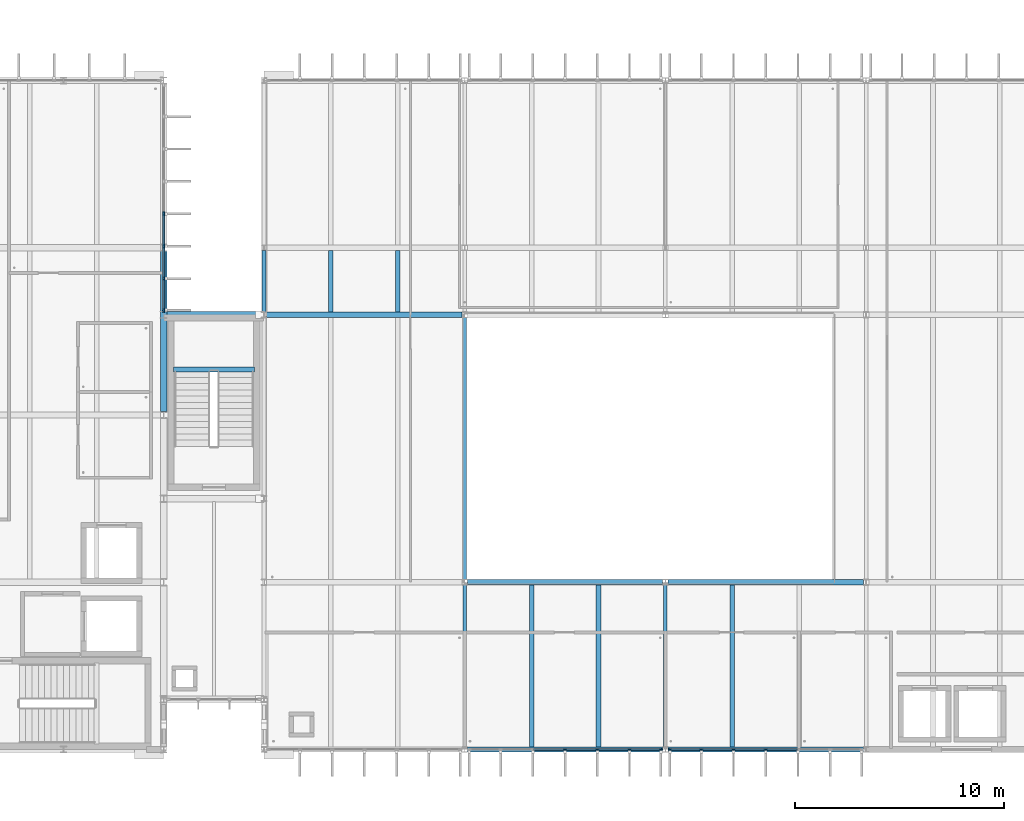
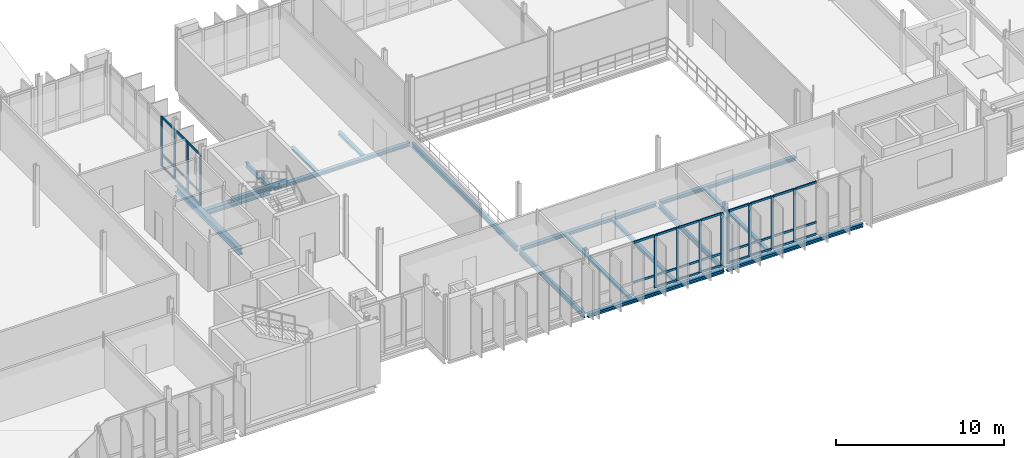
# One storey, part 17 of 59: 44 members, 17 beams, 3 elements without a shape of their own.
"""IFC4 building model written with IfcOpenShell, lengths in metres."""

from ifc_helpers import new_model, si_unit, direction, frame, origin, origin_2d, place, context, subcontext, project, spatial, rectangle, i_section, extrude, material, material_profile, profile_set, type_object, element, aggregate, save


model = new_model("IFC4")

# Units and contexts
model_context = context("Model", 3, precision=1e-05, world=origin(), true_north=direction((0.0, 1.0)))
body_context = subcontext(model_context, "Body", "Model", "MODEL_VIEW")
ifc_project = project(units=[si_unit("LENGTHUNIT", "METRE"), si_unit("AREAUNIT", "SQUARE_METRE"), si_unit("VOLUMEUNIT", "CUBIC_METRE"), si_unit("PLANEANGLEUNIT", "RADIAN"), si_unit("MASSUNIT", "GRAM", prefix="KILO")], contexts=[model_context])

# Site, building, storey
site_placement = place(None, origin())
site = spatial("IfcSite", under=ifc_project, at=site_placement, CompositionType="ELEMENT")
building_placement = place(site_placement, origin())
building = spatial("IfcBuilding", under=site, at=building_placement, Name="Dunescarp Central Library", CompositionType="ELEMENT")
storey_placement = place(building_placement, frame((0.0, 0.0, 18.60009765625)))
storey = spatial("IfcBuildingStorey", under=building, at=storey_placement, Name="L04", CompositionType="ELEMENT", Elevation=18.60009765625)

# Curtain wall, members
ifc_material_1 = material(Name="Marine-grade anodised aluminium 6063-T6", Category="aluminium")
curtain_wall_type = type_object("IfcCurtainWallType", Name="ARC-CW-STICK", PredefinedType="NOTDEFINED", material=ifc_material_1)
curtain_wall_1_placement = place(storey_placement, origin())
curtain_wall_1 = element("IfcCurtainWall", 1, at=curtain_wall_1_placement, inside=storey, type_object=curtain_wall_type, Name="L04 curtain wall CW-V1-030", PredefinedType="NOTDEFINED")
ifc_material_profile_1 = material_profile(ifc_material_1, rectangle(XDim=0.080078125, YDim=0.179931640625, at=origin_2d()), Name="AL 80x180")
ifc_profile_set_1 = profile_set([ifc_material_profile_1], Name="Marine-grade anodised aluminium 6063-T6")
member_type_1 = type_object("IfcMemberType", Name="ARC-CWM-180", PredefinedType="MULLION", material=ifc_profile_set_1)
member_1_placement = place(storey_placement, frame((33.60009765625, 30.425048828125, 0.0), z_axis=(0.0, 0.0, 1.0), x_axis=(1.0, 0.0, 0.0)))
member_1 = element("IfcMember", 2, at=member_1_placement, type_object=member_type_1, Name="CW-V1-030 mullion 5", PredefinedType="MULLION", context=body_context, shape_type="SweptSolid", body=[
    extrude(rectangle(XDim=0.080078125, YDim=0.179931640625, at=origin_2d()), origin(), (0.0, 0.0, 1.0), 3.664794921875),
])
member_2_placement = place(storey_placement, frame((33.60009765625, 28.875, 0.0), z_axis=(0.0, 0.0, 1.0), x_axis=(1.0, 0.0, 0.0)))
member_2 = element("IfcMember", 3, at=member_2_placement, type_object=member_type_1, Name="CW-V1-030 mullion 6", PredefinedType="MULLION", context=body_context, shape_type="SweptSolid", body=[
    extrude(rectangle(XDim=0.080078125, YDim=0.179931640625, at=origin_2d()), origin(), (0.0, 0.0, 1.0), 3.664794921875),
])
member_3_placement = place(storey_placement, frame((33.60009765625, 27.324951171875, 0.0), z_axis=(0.0, 0.0, 1.0), x_axis=(1.0, 0.0, 0.0)))
member_3 = element("IfcMember", 4, at=member_3_placement, type_object=member_type_1, Name="CW-V1-030 mullion 7", PredefinedType="MULLION", context=body_context, shape_type="SweptSolid", body=[
    extrude(rectangle(XDim=0.080078125, YDim=0.179931640625, at=origin_2d()), origin(), (0.0, 0.0, 1.0), 3.664794921875),
])
member_4_placement = place(storey_placement, frame((33.60009765625, 25.81494140625, 0.0), z_axis=(0.0, 0.0, 1.0), x_axis=(1.0, 0.0, 0.0)))
member_4 = element("IfcMember", 5, at=member_4_placement, type_object=member_type_1, Name="CW-V1-030 mullion 8", PredefinedType="MULLION", context=body_context, shape_type="SweptSolid", body=[
    extrude(rectangle(XDim=0.080078125, YDim=0.179931640625, at=origin_2d()), origin(), (0.0, 0.0, 1.0), 3.664794921875),
])

curtain_wall_2_placement = place(storey_placement, origin())
curtain_wall_2 = element("IfcCurtainWall", 6, at=curtain_wall_2_placement, inside=storey, type_object=curtain_wall_type, Name="L04 curtain wall CW-V2-068", PredefinedType="NOTDEFINED")
member_5_placement = place(storey_placement, frame((57.385009765625, 4.800048828125, 0.0), z_axis=(0.0, 0.0, 1.0), x_axis=(0.0, -1.0, 0.0)))
member_5 = element("IfcMember", 7, at=member_5_placement, type_object=member_type_1, Name="CW-V2-068 mullion 1", PredefinedType="MULLION", context=body_context, shape_type="SweptSolid", body=[
    extrude(rectangle(XDim=0.080078125, YDim=0.179931640625, at=origin_2d()), origin(), (0.0, 0.0, 1.0), 3.85498046875),
])
member_6_placement = place(storey_placement, frame((55.88330078125, 4.800048828125, 0.0), z_axis=(0.0, 0.0, 1.0), x_axis=(0.0, -1.0, 0.0)))
member_6 = element("IfcMember", 8, at=member_6_placement, type_object=member_type_1, Name="CW-V2-068 mullion 2", PredefinedType="MULLION", context=body_context, shape_type="SweptSolid", body=[
    extrude(rectangle(XDim=0.080078125, YDim=0.179931640625, at=origin_2d()), origin(), (0.0, 0.0, 1.0), 3.85498046875),
])
member_7_placement = place(storey_placement, frame((54.341552734375, 4.800048828125, 0.0), z_axis=(0.0, 0.0, 1.0), x_axis=(0.0, -1.0, 0.0)))
member_7 = element("IfcMember", 9, at=member_7_placement, type_object=member_type_1, Name="CW-V2-068 mullion 3", PredefinedType="MULLION", context=body_context, shape_type="SweptSolid", body=[
    extrude(rectangle(XDim=0.080078125, YDim=0.179931640625, at=origin_2d()), origin(), (0.0, 0.0, 1.0), 3.85498046875),
])
member_8_placement = place(storey_placement, frame((52.800048828125, 4.800048828125, 0.0), z_axis=(0.0, 0.0, 1.0), x_axis=(0.0, -1.0, 0.0)))
member_8 = element("IfcMember", 10, at=member_8_placement, type_object=member_type_1, Name="CW-V2-068 mullion 4", PredefinedType="MULLION", context=body_context, shape_type="SweptSolid", body=[
    extrude(rectangle(XDim=0.080078125, YDim=0.179931640625, at=origin_2d()), origin(), (0.0, 0.0, 1.0), 3.85498046875),
])

curtain_wall_3_placement = place(storey_placement, origin())
curtain_wall_3 = element("IfcCurtainWall", 11, at=curtain_wall_3_placement, inside=storey, type_object=curtain_wall_type, Name="L04 curtain wall CW-V2-069", PredefinedType="NOTDEFINED")
member_9_placement = place(storey_placement, frame((62.39990234375, 4.800048828125, 0.0), z_axis=(0.0, 0.0, 1.0), x_axis=(0.0, -1.0, 0.0)))
member_9 = element("IfcMember", 12, at=member_9_placement, type_object=member_type_1, Name="CW-V2-069 mullion 4", PredefinedType="MULLION", context=body_context, shape_type="SweptSolid", body=[
    extrude(rectangle(XDim=0.080078125, YDim=0.179931640625, at=origin_2d()), origin(), (0.0, 0.0, 1.0), 3.85498046875),
])
member_10_placement = place(storey_placement, frame((60.8583984375, 4.800048828125, 0.0), z_axis=(0.0, 0.0, 1.0), x_axis=(0.0, -1.0, 0.0)))
member_10 = element("IfcMember", 13, at=member_10_placement, type_object=member_type_1, Name="CW-V2-069 mullion 5", PredefinedType="MULLION", context=body_context, shape_type="SweptSolid", body=[
    extrude(rectangle(XDim=0.080078125, YDim=0.179931640625, at=origin_2d()), origin(), (0.0, 0.0, 1.0), 3.85498046875),
])
member_11_placement = place(storey_placement, frame((59.316650390625, 4.800048828125, 0.0), z_axis=(0.0, 0.0, 1.0), x_axis=(0.0, -1.0, 0.0)))
member_11 = element("IfcMember", 14, at=member_11_placement, type_object=member_type_1, Name="CW-V2-069 mullion 6", PredefinedType="MULLION", context=body_context, shape_type="SweptSolid", body=[
    extrude(rectangle(XDim=0.080078125, YDim=0.179931640625, at=origin_2d()), origin(), (0.0, 0.0, 1.0), 3.85498046875),
])
member_12_placement = place(storey_placement, frame((57.81494140625, 4.800048828125, 0.0), z_axis=(0.0, 0.0, 1.0), x_axis=(0.0, -1.0, 0.0)))
member_12 = element("IfcMember", 15, at=member_12_placement, type_object=member_type_1, Name="CW-V2-069 mullion 7", PredefinedType="MULLION", context=body_context, shape_type="SweptSolid", body=[
    extrude(rectangle(XDim=0.080078125, YDim=0.179931640625, at=origin_2d()), origin(), (0.0, 0.0, 1.0), 3.85498046875),
])

# Member
ifc_material_profile_2 = material_profile(ifc_material_1, rectangle(XDim=0.080078125, YDim=0.14990234375, at=origin_2d()), Name="AL 80x150")
ifc_profile_set_2 = profile_set([ifc_material_profile_2], Name="Marine-grade anodised aluminium 6063-T6")
member_type_2 = type_object("IfcMemberType", Name="ARC-CWT-150", PredefinedType="USERDEFINED", material=ifc_profile_set_2)
member_13_placement = place(storey_placement, frame((33.60009765625, 30.385009765625, 0.039794921875), z_axis=(0.0, -1.0, 0.0), x_axis=(1.0, 0.0, 0.0)))
member_13 = element("IfcMember", 16, at=member_13_placement, type_object=member_type_2, Name="CW-V1-030 transom 5.1", ObjectType="TRANSOM", PredefinedType="USERDEFINED", context=body_context, shape_type="SweptSolid", body=[
    extrude(rectangle(XDim=0.080078125, YDim=0.14990234375, at=origin_2d()), origin(), (0.0, 0.0, 1.0), 1.469970703125),
])

member_14_placement = place(storey_placement, frame((33.60009765625, 30.385009765625, 0.89990234375), z_axis=(0.0, -1.0, 0.0), x_axis=(1.0, 0.0, 0.0)))
member_14 = element("IfcMember", 17, at=member_14_placement, type_object=member_type_2, Name="CW-V1-030 transom 5.2", ObjectType="TRANSOM", PredefinedType="USERDEFINED", context=body_context, shape_type="SweptSolid", body=[
    extrude(rectangle(XDim=0.080078125, YDim=0.14990234375, at=origin_2d()), origin(), (0.0, 0.0, 1.0), 1.469970703125),
])

member_15_placement = place(storey_placement, frame((33.60009765625, 30.385009765625, 3.625), z_axis=(0.0, -1.0, 0.0), x_axis=(1.0, 0.0, 0.0)))
member_15 = element("IfcMember", 18, at=member_15_placement, type_object=member_type_2, Name="CW-V1-030 transom 5.3", ObjectType="TRANSOM", PredefinedType="USERDEFINED", context=body_context, shape_type="SweptSolid", body=[
    extrude(rectangle(XDim=0.080078125, YDim=0.14990234375, at=origin_2d()), origin(), (0.0, 0.0, 1.0), 1.469970703125),
])

member_16_placement = place(storey_placement, frame((33.60009765625, 28.8349609375, 0.039794921875), z_axis=(0.0, -1.0, 0.0), x_axis=(1.0, 0.0, 0.0)))
member_16 = element("IfcMember", 19, at=member_16_placement, type_object=member_type_2, Name="CW-V1-030 transom 6.1", ObjectType="TRANSOM", PredefinedType="USERDEFINED", context=body_context, shape_type="SweptSolid", body=[
    extrude(rectangle(XDim=0.080078125, YDim=0.14990234375, at=origin_2d()), origin(), (0.0, 0.0, 1.0), 1.469970703125),
])

member_17_placement = place(storey_placement, frame((33.60009765625, 28.8349609375, 0.89990234375), z_axis=(0.0, -1.0, 0.0), x_axis=(1.0, 0.0, 0.0)))
member_17 = element("IfcMember", 20, at=member_17_placement, type_object=member_type_2, Name="CW-V1-030 transom 6.2", ObjectType="TRANSOM", PredefinedType="USERDEFINED", context=body_context, shape_type="SweptSolid", body=[
    extrude(rectangle(XDim=0.080078125, YDim=0.14990234375, at=origin_2d()), origin(), (0.0, 0.0, 1.0), 1.469970703125),
])

member_18_placement = place(storey_placement, frame((33.60009765625, 28.8349609375, 3.625), z_axis=(0.0, -1.0, 0.0), x_axis=(1.0, 0.0, 0.0)))
member_18 = element("IfcMember", 21, at=member_18_placement, type_object=member_type_2, Name="CW-V1-030 transom 6.3", ObjectType="TRANSOM", PredefinedType="USERDEFINED", context=body_context, shape_type="SweptSolid", body=[
    extrude(rectangle(XDim=0.080078125, YDim=0.14990234375, at=origin_2d()), origin(), (0.0, 0.0, 1.0), 1.469970703125),
])

member_19_placement = place(storey_placement, frame((33.60009765625, 27.284912109375, 0.039794921875), z_axis=(0.0, -1.0, 0.0), x_axis=(1.0, 0.0, 0.0)))
member_19 = element("IfcMember", 22, at=member_19_placement, type_object=member_type_2, Name="CW-V1-030 transom 7.1", ObjectType="TRANSOM", PredefinedType="USERDEFINED", context=body_context, shape_type="SweptSolid", body=[
    extrude(rectangle(XDim=0.080078125, YDim=0.14990234375, at=origin_2d()), origin(), (0.0, 0.0, 1.0), 1.429931640625),
])

member_20_placement = place(storey_placement, frame((33.60009765625, 27.284912109375, 0.89990234375), z_axis=(0.0, -1.0, 0.0), x_axis=(1.0, 0.0, 0.0)))
member_20 = element("IfcMember", 23, at=member_20_placement, type_object=member_type_2, Name="CW-V1-030 transom 7.2", ObjectType="TRANSOM", PredefinedType="USERDEFINED", context=body_context, shape_type="SweptSolid", body=[
    extrude(rectangle(XDim=0.080078125, YDim=0.14990234375, at=origin_2d()), origin(), (0.0, 0.0, 1.0), 1.429931640625),
])

member_21_placement = place(storey_placement, frame((33.60009765625, 27.284912109375, 3.625), z_axis=(0.0, -1.0, 0.0), x_axis=(1.0, 0.0, 0.0)))
member_21 = element("IfcMember", 24, at=member_21_placement, type_object=member_type_2, Name="CW-V1-030 transom 7.3", ObjectType="TRANSOM", PredefinedType="USERDEFINED", context=body_context, shape_type="SweptSolid", body=[
    extrude(rectangle(XDim=0.080078125, YDim=0.14990234375, at=origin_2d()), origin(), (0.0, 0.0, 1.0), 1.429931640625),
])

aggregate(curtain_wall_1, [member_1, member_2, member_3, member_4, member_13, member_14, member_15, member_16, member_17, member_18, member_19, member_20, member_21])

member_22_placement = place(storey_placement, frame((57.344970703125, 4.800048828125, 0.039794921875), z_axis=(-1.0, 0.0, 0.0), x_axis=(0.0, -1.0, 0.0)))
member_22 = element("IfcMember", 25, at=member_22_placement, type_object=member_type_2, Name="CW-V2-068 transom 1.1", ObjectType="TRANSOM", PredefinedType="USERDEFINED", context=body_context, shape_type="SweptSolid", body=[
    extrude(rectangle(XDim=0.080078125, YDim=0.14990234375, at=origin_2d()), origin(), (0.0, 0.0, 1.0), 1.421630859375),
])

member_23_placement = place(storey_placement, frame((57.344970703125, 4.800048828125, 0.89990234375), z_axis=(-1.0, 0.0, 0.0), x_axis=(0.0, -1.0, 0.0)))
member_23 = element("IfcMember", 26, at=member_23_placement, type_object=member_type_2, Name="CW-V2-068 transom 1.2", ObjectType="TRANSOM", PredefinedType="USERDEFINED", context=body_context, shape_type="SweptSolid", body=[
    extrude(rectangle(XDim=0.080078125, YDim=0.14990234375, at=origin_2d()), origin(), (0.0, 0.0, 1.0), 1.421630859375),
])

member_24_placement = place(storey_placement, frame((57.344970703125, 4.800048828125, 3.81494140625), z_axis=(-1.0, 0.0, 0.0), x_axis=(0.0, -1.0, 0.0)))
member_24 = element("IfcMember", 27, at=member_24_placement, type_object=member_type_2, Name="CW-V2-068 transom 1.3", ObjectType="TRANSOM", PredefinedType="USERDEFINED", context=body_context, shape_type="SweptSolid", body=[
    extrude(rectangle(XDim=0.080078125, YDim=0.14990234375, at=origin_2d()), origin(), (0.0, 0.0, 1.0), 1.421630859375),
])

member_25_placement = place(storey_placement, frame((55.84326171875, 4.800048828125, 0.039794921875), z_axis=(-1.0, 0.0, 0.0), x_axis=(0.0, -1.0, 0.0)))
member_25 = element("IfcMember", 28, at=member_25_placement, type_object=member_type_2, Name="CW-V2-068 transom 2.1", ObjectType="TRANSOM", PredefinedType="USERDEFINED", context=body_context, shape_type="SweptSolid", body=[
    extrude(rectangle(XDim=0.080078125, YDim=0.14990234375, at=origin_2d()), origin(), (0.0, 0.0, 1.0), 1.461669921875),
])

member_26_placement = place(storey_placement, frame((55.84326171875, 4.800048828125, 0.89990234375), z_axis=(-1.0, 0.0, 0.0), x_axis=(0.0, -1.0, 0.0)))
member_26 = element("IfcMember", 29, at=member_26_placement, type_object=member_type_2, Name="CW-V2-068 transom 2.2", ObjectType="TRANSOM", PredefinedType="USERDEFINED", context=body_context, shape_type="SweptSolid", body=[
    extrude(rectangle(XDim=0.080078125, YDim=0.14990234375, at=origin_2d()), origin(), (0.0, 0.0, 1.0), 1.461669921875),
])

member_27_placement = place(storey_placement, frame((55.84326171875, 4.800048828125, 3.81494140625), z_axis=(-1.0, 0.0, 0.0), x_axis=(0.0, -1.0, 0.0)))
member_27 = element("IfcMember", 30, at=member_27_placement, type_object=member_type_2, Name="CW-V2-068 transom 2.3", ObjectType="TRANSOM", PredefinedType="USERDEFINED", context=body_context, shape_type="SweptSolid", body=[
    extrude(rectangle(XDim=0.080078125, YDim=0.14990234375, at=origin_2d()), origin(), (0.0, 0.0, 1.0), 1.461669921875),
])

member_28_placement = place(storey_placement, frame((54.3017578125, 4.800048828125, 0.039794921875), z_axis=(-1.0, 0.0, 0.0), x_axis=(0.0, -1.0, 0.0)))
member_28 = element("IfcMember", 31, at=member_28_placement, type_object=member_type_2, Name="CW-V2-068 transom 3.1", ObjectType="TRANSOM", PredefinedType="USERDEFINED", context=body_context, shape_type="SweptSolid", body=[
    extrude(rectangle(XDim=0.080078125, YDim=0.14990234375, at=origin_2d()), origin(), (0.0, 0.0, 1.0), 1.461669921875),
])

member_29_placement = place(storey_placement, frame((54.3017578125, 4.800048828125, 0.89990234375), z_axis=(-1.0, 0.0, 0.0), x_axis=(0.0, -1.0, 0.0)))
member_29 = element("IfcMember", 32, at=member_29_placement, type_object=member_type_2, Name="CW-V2-068 transom 3.2", ObjectType="TRANSOM", PredefinedType="USERDEFINED", context=body_context, shape_type="SweptSolid", body=[
    extrude(rectangle(XDim=0.080078125, YDim=0.14990234375, at=origin_2d()), origin(), (0.0, 0.0, 1.0), 1.461669921875),
])

member_30_placement = place(storey_placement, frame((54.3017578125, 4.800048828125, 3.81494140625), z_axis=(-1.0, 0.0, 0.0), x_axis=(0.0, -1.0, 0.0)))
member_30 = element("IfcMember", 33, at=member_30_placement, type_object=member_type_2, Name="CW-V2-068 transom 3.3", ObjectType="TRANSOM", PredefinedType="USERDEFINED", context=body_context, shape_type="SweptSolid", body=[
    extrude(rectangle(XDim=0.080078125, YDim=0.14990234375, at=origin_2d()), origin(), (0.0, 0.0, 1.0), 1.461669921875),
])

member_31_placement = place(storey_placement, frame((52.760009765625, 4.800048828125, 0.89990234375), z_axis=(-1.0, 0.0, 0.0), x_axis=(0.0, -1.0, 0.0)))
member_31 = element("IfcMember", 34, at=member_31_placement, type_object=member_type_2, Name="CW-V2-068 transom 4.2", ObjectType="TRANSOM", PredefinedType="USERDEFINED", context=body_context, shape_type="SweptSolid", body=[
    extrude(rectangle(XDim=0.080078125, YDim=0.14990234375, at=origin_2d()), origin(), (0.0, 0.0, 1.0), 1.461669921875),
])

member_32_placement = place(storey_placement, frame((52.760009765625, 4.800048828125, 3.81494140625), z_axis=(-1.0, 0.0, 0.0), x_axis=(0.0, -1.0, 0.0)))
member_32 = element("IfcMember", 35, at=member_32_placement, type_object=member_type_2, Name="CW-V2-068 transom 4.3", ObjectType="TRANSOM", PredefinedType="USERDEFINED", context=body_context, shape_type="SweptSolid", body=[
    extrude(rectangle(XDim=0.080078125, YDim=0.14990234375, at=origin_2d()), origin(), (0.0, 0.0, 1.0), 1.461669921875),
])

aggregate(curtain_wall_2, [member_5, member_6, member_7, member_8, member_22, member_23, member_24, member_25, member_26, member_27, member_28, member_29, member_30, member_31, member_32])

member_33_placement = place(storey_placement, frame((63.901611328125, 4.800048828125, 0.039794921875), z_axis=(-1.0, 0.0, 0.0), x_axis=(0.0, -1.0, 0.0)))
member_33 = element("IfcMember", 36, at=member_33_placement, type_object=member_type_2, Name="CW-V2-069 transom 3.1", ObjectType="TRANSOM", PredefinedType="USERDEFINED", context=body_context, shape_type="SweptSolid", body=[
    extrude(rectangle(XDim=0.080078125, YDim=0.14990234375, at=origin_2d()), origin(), (0.0, 0.0, 1.0), 1.461669921875),
])

member_34_placement = place(storey_placement, frame((63.901611328125, 4.800048828125, 0.89990234375), z_axis=(-1.0, 0.0, 0.0), x_axis=(0.0, -1.0, 0.0)))
member_34 = element("IfcMember", 37, at=member_34_placement, type_object=member_type_2, Name="CW-V2-069 transom 3.2", ObjectType="TRANSOM", PredefinedType="USERDEFINED", context=body_context, shape_type="SweptSolid", body=[
    extrude(rectangle(XDim=0.080078125, YDim=0.14990234375, at=origin_2d()), origin(), (0.0, 0.0, 1.0), 1.461669921875),
])

member_35_placement = place(storey_placement, frame((63.901611328125, 4.800048828125, 3.81494140625), z_axis=(-1.0, 0.0, 0.0), x_axis=(0.0, -1.0, 0.0)))
member_35 = element("IfcMember", 38, at=member_35_placement, type_object=member_type_2, Name="CW-V2-069 transom 3.3", ObjectType="TRANSOM", PredefinedType="USERDEFINED", context=body_context, shape_type="SweptSolid", body=[
    extrude(rectangle(XDim=0.080078125, YDim=0.14990234375, at=origin_2d()), origin(), (0.0, 0.0, 1.0), 1.461669921875),
])

member_36_placement = place(storey_placement, frame((62.360107421875, 4.800048828125, 0.039794921875), z_axis=(-1.0, 0.0, 0.0), x_axis=(0.0, -1.0, 0.0)))
member_36 = element("IfcMember", 39, at=member_36_placement, type_object=member_type_2, Name="CW-V2-069 transom 4.1", ObjectType="TRANSOM", PredefinedType="USERDEFINED", context=body_context, shape_type="SweptSolid", body=[
    extrude(rectangle(XDim=0.080078125, YDim=0.14990234375, at=origin_2d()), origin(), (0.0, 0.0, 1.0), 1.461669921875),
])

member_37_placement = place(storey_placement, frame((62.360107421875, 4.800048828125, 0.89990234375), z_axis=(-1.0, 0.0, 0.0), x_axis=(0.0, -1.0, 0.0)))
member_37 = element("IfcMember", 40, at=member_37_placement, type_object=member_type_2, Name="CW-V2-069 transom 4.2", ObjectType="TRANSOM", PredefinedType="USERDEFINED", context=body_context, shape_type="SweptSolid", body=[
    extrude(rectangle(XDim=0.080078125, YDim=0.14990234375, at=origin_2d()), origin(), (0.0, 0.0, 1.0), 1.461669921875),
])

member_38_placement = place(storey_placement, frame((62.360107421875, 4.800048828125, 3.81494140625), z_axis=(-1.0, 0.0, 0.0), x_axis=(0.0, -1.0, 0.0)))
member_38 = element("IfcMember", 41, at=member_38_placement, type_object=member_type_2, Name="CW-V2-069 transom 4.3", ObjectType="TRANSOM", PredefinedType="USERDEFINED", context=body_context, shape_type="SweptSolid", body=[
    extrude(rectangle(XDim=0.080078125, YDim=0.14990234375, at=origin_2d()), origin(), (0.0, 0.0, 1.0), 1.461669921875),
])

member_39_placement = place(storey_placement, frame((60.818359375, 4.800048828125, 0.039794921875), z_axis=(-1.0, 0.0, 0.0), x_axis=(0.0, -1.0, 0.0)))
member_39 = element("IfcMember", 42, at=member_39_placement, type_object=member_type_2, Name="CW-V2-069 transom 5.1", ObjectType="TRANSOM", PredefinedType="USERDEFINED", context=body_context, shape_type="SweptSolid", body=[
    extrude(rectangle(XDim=0.080078125, YDim=0.14990234375, at=origin_2d()), origin(), (0.0, 0.0, 1.0), 1.461669921875),
])

member_40_placement = place(storey_placement, frame((60.818359375, 4.800048828125, 0.89990234375), z_axis=(-1.0, 0.0, 0.0), x_axis=(0.0, -1.0, 0.0)))
member_40 = element("IfcMember", 43, at=member_40_placement, type_object=member_type_2, Name="CW-V2-069 transom 5.2", ObjectType="TRANSOM", PredefinedType="USERDEFINED", context=body_context, shape_type="SweptSolid", body=[
    extrude(rectangle(XDim=0.080078125, YDim=0.14990234375, at=origin_2d()), origin(), (0.0, 0.0, 1.0), 1.461669921875),
])

member_41_placement = place(storey_placement, frame((60.818359375, 4.800048828125, 3.81494140625), z_axis=(-1.0, 0.0, 0.0), x_axis=(0.0, -1.0, 0.0)))
member_41 = element("IfcMember", 44, at=member_41_placement, type_object=member_type_2, Name="CW-V2-069 transom 5.3", ObjectType="TRANSOM", PredefinedType="USERDEFINED", context=body_context, shape_type="SweptSolid", body=[
    extrude(rectangle(XDim=0.080078125, YDim=0.14990234375, at=origin_2d()), origin(), (0.0, 0.0, 1.0), 1.461669921875),
])

member_42_placement = place(storey_placement, frame((59.276611328125, 4.800048828125, 0.039794921875), z_axis=(-1.0, 0.0, 0.0), x_axis=(0.0, -1.0, 0.0)))
member_42 = element("IfcMember", 45, at=member_42_placement, type_object=member_type_2, Name="CW-V2-069 transom 6.1", ObjectType="TRANSOM", PredefinedType="USERDEFINED", context=body_context, shape_type="SweptSolid", body=[
    extrude(rectangle(XDim=0.080078125, YDim=0.14990234375, at=origin_2d()), origin(), (0.0, 0.0, 1.0), 1.421630859375),
])

member_43_placement = place(storey_placement, frame((59.276611328125, 4.800048828125, 0.89990234375), z_axis=(-1.0, 0.0, 0.0), x_axis=(0.0, -1.0, 0.0)))
member_43 = element("IfcMember", 46, at=member_43_placement, type_object=member_type_2, Name="CW-V2-069 transom 6.2", ObjectType="TRANSOM", PredefinedType="USERDEFINED", context=body_context, shape_type="SweptSolid", body=[
    extrude(rectangle(XDim=0.080078125, YDim=0.14990234375, at=origin_2d()), origin(), (0.0, 0.0, 1.0), 1.421630859375),
])

member_44_placement = place(storey_placement, frame((59.276611328125, 4.800048828125, 3.81494140625), z_axis=(-1.0, 0.0, 0.0), x_axis=(0.0, -1.0, 0.0)))
member_44 = element("IfcMember", 47, at=member_44_placement, type_object=member_type_2, Name="CW-V2-069 transom 6.3", ObjectType="TRANSOM", PredefinedType="USERDEFINED", context=body_context, shape_type="SweptSolid", body=[
    extrude(rectangle(XDim=0.080078125, YDim=0.14990234375, at=origin_2d()), origin(), (0.0, 0.0, 1.0), 1.421630859375),
])

aggregate(curtain_wall_3, [member_9, member_10, member_11, member_12, member_33, member_34, member_35, member_36, member_37, member_38, member_39, member_40, member_41, member_42, member_43, member_44])

# Beams
ifc_material_2 = material(Name="Steel S355JR", Category="steel")
ifc_material_profile_3 = material_profile(ifc_material_2, i_section(OverallWidth=0.300048828125, OverallDepth=0.389892578125, WebThickness=0.010986328125, FlangeThickness=0.01904296875, at=origin_2d()), Name="HEA 400")
ifc_profile_set_3 = profile_set([ifc_material_profile_3], Name="Steel S355JR")
beam_type_1 = type_object("IfcBeamType", Name="STR-BM-HEA400", PredefinedType="BEAM", material=ifc_profile_set_3)
beam_1_placement = place(storey_placement, frame((33.7529296875, 25.60009765625, -0.445068359375), z_axis=(1.0, 0.0, 0.0), x_axis=(0.0, 1.0, 0.0)))
element("IfcBeam", 48, at=beam_1_placement, inside=storey, type_object=beam_type_1, Name="L04 girder BM-L04-1230", PredefinedType="BEAM", context=body_context, shape_type="SweptSolid", body=[
    extrude(i_section(OverallWidth=0.300048828125, OverallDepth=0.389892578125, WebThickness=0.010986328125, FlangeThickness=0.01904296875, at=origin_2d()), origin(), (0.0, 0.0, 1.0), 4.51904296875),
])
ifc_material_profile_4 = material_profile(ifc_material_2, i_section(OverallWidth=0.260009765625, OverallDepth=0.260009765625, WebThickness=0.010009765625, FlangeThickness=0.017578125, at=origin_2d()), Name="HEB 260")
ifc_profile_set_4 = profile_set([ifc_material_profile_4], Name="Steel S355JR")
beam_type_2 = type_object("IfcBeamType", Name="STR-BM-HEB260", PredefinedType="BEAM", material=ifc_profile_set_4)
for number, where, z_axis, x_axis, name in (
    (49, (38.528076171875, 25.60009765625, -0.380126953125), (1.0, 0.0, 0.0), (0.0, 1.0, 0.0), "L04 girder BM-L04-0544"),
    (50, (48.1279296875, 4.800048828125, -0.380126953125), (1.0, 0.0, 0.0), (0.0, 1.0, 0.0), "L04 girder BM-L04-0559"),
    (51, (48.1279296875, 12.800048828125, -0.380126953125), (1.0, 0.0, 0.0), (0.0, 1.0, 0.0), "L04 girder BM-L04-0560"),
    (52, (57.72802734375, 4.800048828125, -0.380126953125), (1.0, 0.0, 0.0), (0.0, 1.0, 0.0), "L04 girder BM-L04-0573"),
    (53, (57.72802734375, 12.800048828125, -0.380126953125), (1.0, 0.0, 0.0), (0.0, 1.0, 0.0), "L04 girder BM-L04-0574"),
):
    element("IfcBeam", number, at=place(storey_placement, frame(where, z_axis=z_axis, x_axis=x_axis)), inside=storey, type_object=beam_type_2, Name=name, PredefinedType="BEAM", context=body_context, shape_type="SweptSolid", body=[
        extrude(i_section(OverallWidth=0.260009765625, OverallDepth=0.260009765625, WebThickness=0.010009765625, FlangeThickness=0.017578125, at=origin_2d()), origin(), (0.0, 0.0, 1.0), 9.343994140625),
    ])
ifc_material_profile_5 = material_profile(ifc_material_2, i_section(OverallWidth=0.300048828125, OverallDepth=0.449951171875, WebThickness=0.013916015625, FlangeThickness=0.02587890625, at=origin_2d()), Name="HEB 450")
ifc_profile_set_5 = profile_set([ifc_material_profile_5], Name="Steel S355JR")
beam_type_3 = type_object("IfcBeamType", Name="STR-BM-HEB450", PredefinedType="BEAM", material=ifc_profile_set_5)
beam_2_placement = place(storey_placement, frame((33.60009765625, 20.9609375, -0.47509765625), z_axis=(0.0, 1.0, 0.0), x_axis=(-1.0, 0.0, 0.0)))
element("IfcBeam", 54, at=beam_2_placement, inside=storey, type_object=beam_type_3, Name="L04 girder BM-L04-0214", PredefinedType="BEAM", context=body_context, shape_type="SweptSolid", body=[
    extrude(i_section(OverallWidth=0.300048828125, OverallDepth=0.449951171875, WebThickness=0.013916015625, FlangeThickness=0.02587890625, at=origin_2d()), origin(), (0.0, 0.0, 1.0), 7.677978515625),
])
ifc_material_profile_6 = material_profile(ifc_material_2, i_section(OverallWidth=0.173095703125, OverallDepth=0.36328125, WebThickness=0.009033203125, FlangeThickness=0.015625, at=origin_2d()), Name="UB 356x171x67")
ifc_profile_set_6 = profile_set([ifc_material_profile_6], Name="Steel S355JR")
beam_type_4 = type_object("IfcBeamType", Name="STR-BM-UB356X67", PredefinedType="BEAM", material=ifc_profile_set_6)
beam_3_placement = place(storey_placement, frame((48.0, 4.93505859375, -0.43212890625), z_axis=(0.0, 1.0, 0.0), x_axis=(-1.0, 0.0, 0.0)))
element("IfcBeam", 55, at=beam_3_placement, inside=storey, type_object=beam_type_4, Name="L04 girder BM-L04-0541", PredefinedType="BEAM", context=body_context, shape_type="SweptSolid", body=[
    extrude(i_section(OverallWidth=0.173095703125, OverallDepth=0.36328125, WebThickness=0.009033203125, FlangeThickness=0.015625, at=origin_2d()), origin(), (0.0, 0.0, 1.0), 7.72998046875),
])
beam_4_placement = place(storey_placement, frame((48.0, 12.93505859375, -0.43212890625), z_axis=(0.0, 1.0, 0.0), x_axis=(-1.0, 0.0, 0.0)))
element("IfcBeam", 56, at=beam_4_placement, inside=storey, type_object=beam_type_4, Name="L04 girder BM-L04-0546", PredefinedType="BEAM", context=body_context, shape_type="SweptSolid", body=[
    extrude(i_section(OverallWidth=0.173095703125, OverallDepth=0.36328125, WebThickness=0.009033203125, FlangeThickness=0.015625, at=origin_2d()), origin(), (0.0, 0.0, 1.0), 12.530029296875),
])
beam_5_placement = place(storey_placement, frame((38.39990234375, 25.735107421875, -0.43212890625), z_axis=(0.0, 1.0, 0.0), x_axis=(-1.0, 0.0, 0.0)))
element("IfcBeam", 57, at=beam_5_placement, inside=storey, type_object=beam_type_4, Name="L04 girder BM-L04-0550", PredefinedType="BEAM", context=body_context, shape_type="SweptSolid", body=[
    extrude(i_section(OverallWidth=0.173095703125, OverallDepth=0.36328125, WebThickness=0.009033203125, FlangeThickness=0.015625, at=origin_2d()), origin(), (0.0, 0.0, 1.0), 2.93798828125),
])
beam_6_placement = place(storey_placement, frame((57.60009765625, 4.93505859375, -0.43212890625), z_axis=(0.0, 1.0, 0.0), x_axis=(-1.0, 0.0, 0.0)))
element("IfcBeam", 58, at=beam_6_placement, inside=storey, type_object=beam_type_4, Name="L04 girder BM-L04-0561", PredefinedType="BEAM", context=body_context, shape_type="SweptSolid", body=[
    extrude(i_section(OverallWidth=0.173095703125, OverallDepth=0.36328125, WebThickness=0.009033203125, FlangeThickness=0.015625, at=origin_2d()), origin(), (0.0, 0.0, 1.0), 7.72998046875),
])
ifc_material_profile_7 = material_profile(ifc_material_2, i_section(OverallWidth=0.219970703125, OverallDepth=0.2099609375, WebThickness=0.007080078125, FlangeThickness=0.010986328125, at=origin_2d()), Name="HEA 220")
ifc_profile_set_7 = profile_set([ifc_material_profile_7], Name="Steel S355JR")
beam_type_5 = type_object("IfcBeamType", Name="STR-JS-HEA220", PredefinedType="JOIST", material=ifc_profile_set_7)
for number, where, z_axis, x_axis, name in (
    (59, (41.60009765625, 25.72802734375, -0.35498046875), (0.0, 1.0, 0.0), (-1.0, 0.0, 0.0), "L04 joist JS-L04-0552"),
    (60, (44.800048828125, 25.72802734375, -0.35498046875), (0.0, 1.0, 0.0), (-1.0, 0.0, 0.0), "L04 joist JS-L04-0553"),
):
    element("IfcBeam", number, at=place(storey_placement, frame(where, z_axis=z_axis, x_axis=x_axis)), inside=storey, type_object=beam_type_5, Name=name, PredefinedType="JOIST", context=body_context, shape_type="SweptSolid", body=[
        extrude(i_section(OverallWidth=0.219970703125, OverallDepth=0.2099609375, WebThickness=0.007080078125, FlangeThickness=0.010986328125, at=origin_2d()), origin(), (0.0, 0.0, 1.0), 2.944091796875),
    ])
for number, where, z_axis, x_axis, name in (
    (61, (51.199951171875, 4.927978515625, -0.35498046875), (0.0, 1.0, 0.0), (-1.0, 0.0, 0.0), "L04 joist JS-L04-0562"),
    (62, (54.39990234375, 4.927978515625, -0.35498046875), (0.0, 1.0, 0.0), (-1.0, 0.0, 0.0), "L04 joist JS-L04-0563"),
    (63, (60.800048828125, 4.927978515625, -0.35498046875), (0.0, 1.0, 0.0), (-1.0, 0.0, 0.0), "L04 joist JS-L04-0576"),
):
    element("IfcBeam", number, at=place(storey_placement, frame(where, z_axis=z_axis, x_axis=x_axis)), inside=storey, type_object=beam_type_5, Name=name, PredefinedType="JOIST", context=body_context, shape_type="SweptSolid", body=[
        extrude(i_section(OverallWidth=0.219970703125, OverallDepth=0.2099609375, WebThickness=0.007080078125, FlangeThickness=0.010986328125, at=origin_2d()), origin(), (0.0, 0.0, 1.0), 7.744140625),
    ])
ifc_material_profile_8 = material_profile(ifc_material_2, i_section(OverallWidth=0.239990234375, OverallDepth=0.22998046875, WebThickness=0.007568359375, FlangeThickness=0.011962890625, at=origin_2d()), Name="HEA 240")
ifc_profile_set_8 = profile_set([ifc_material_profile_8], Name="Steel S355JR")
beam_type_6 = type_object("IfcBeamType", Name="STR-JS-HEA240", PredefinedType="JOIST", material=ifc_profile_set_8)
beam_7_placement = place(storey_placement, frame((34.06005859375, 22.97998046875, 1.934814453125), z_axis=(1.0, 0.0, 0.0), x_axis=(0.0, 1.0, 0.0)))
element("IfcBeam", 64, at=beam_7_placement, inside=storey, type_object=beam_type_6, Name="L04 ST-2 landing trimmer beam BM-ST-017", PredefinedType="BEAM", context=body_context, shape_type="SweptSolid", body=[
    extrude(i_section(OverallWidth=0.239990234375, OverallDepth=0.22998046875, WebThickness=0.007568359375, FlangeThickness=0.011962890625, at=origin_2d()), origin(), (0.0, 0.0, 1.0), 3.8798828125),
])

save(model, "model.ifc")
